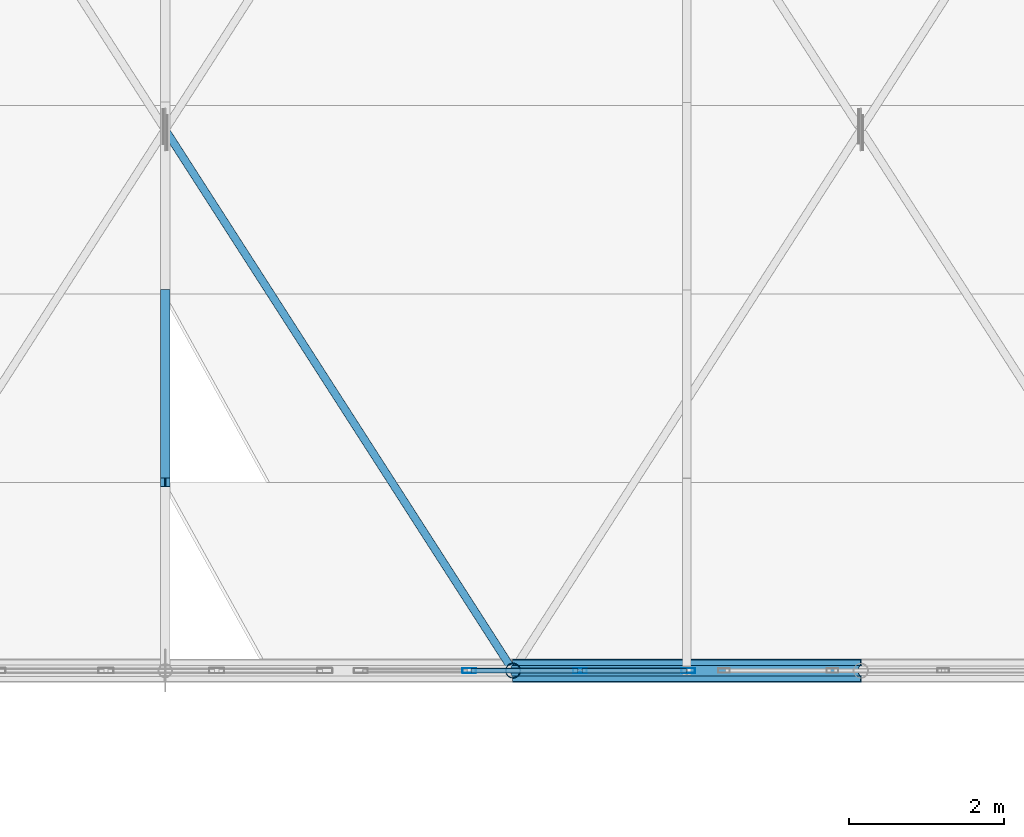
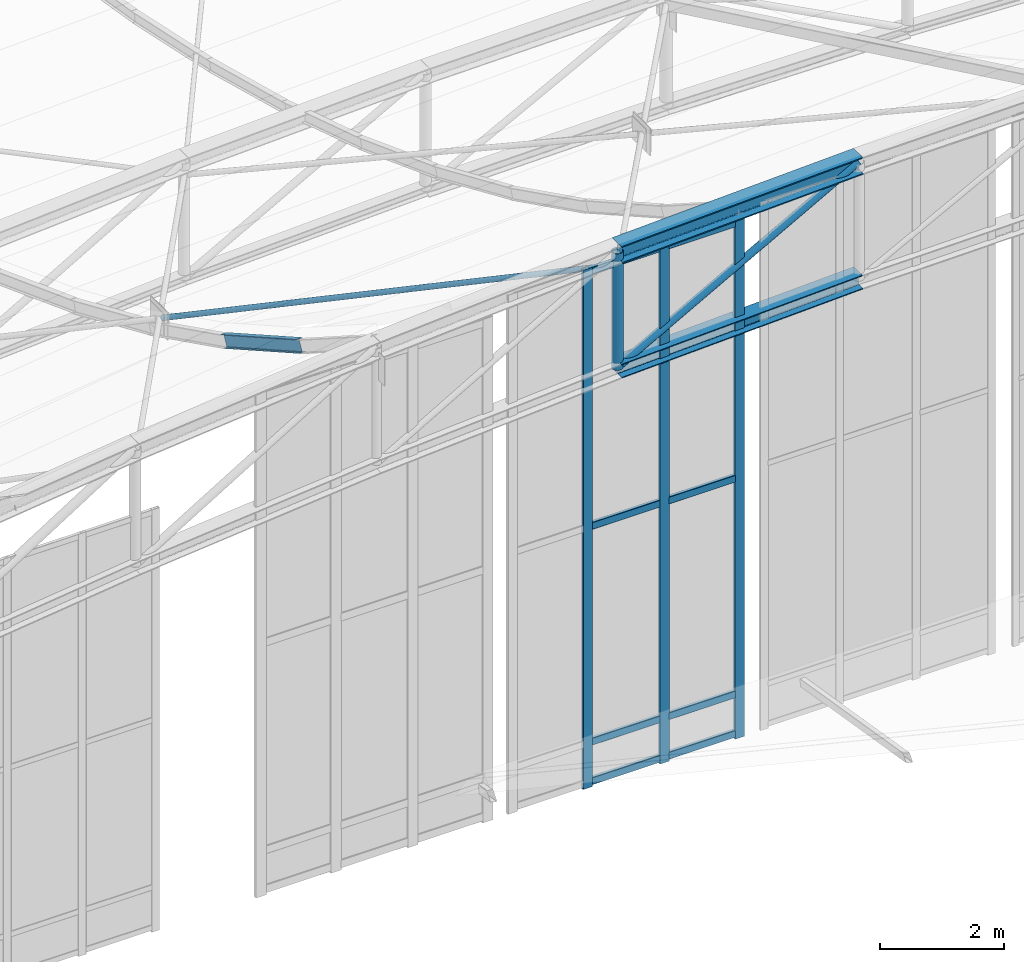
# One storey, part 140 of 262: 17 members, 1 element without a shape of its own.
"""IFC4 building model written with IfcOpenShell, lengths in metres."""

import ifcopenshell
import ifcopenshell.guid

model = None  # the IFC model being written
_history = None  # IfcOwnerHistory: only IFC2X3 demands one
_inside = {}  # id of a spatial element -> (the spatial element, [elements in it])
_under = {}  # id of a project, library or spatial element -> (it, [spatial elements below it])
_declared = {}  # id of a project -> (the project, [libraries it declares])
_typed = {}  # id of a type object -> (the type object, [elements of that type])
_made_of = {}  # id of a material, layer set ... -> (it, [elements and type objects made of it])


def new_model(schema):
    """Start an empty IFC model of exactly this schema.

    Asked for "IFC4X3", IfcOpenShell would pick the latest addendum, in which some entities
    have other attributes; the version numbers below select the first issue.
    IFC2X3 requires an IfcOwnerHistory on every rooted entity: one is made here for all.
    """
    global model, _history
    if schema == "IFC4X3":
        model = ifcopenshell.file(schema_version=(4, 3, 0, 0))
    else:
        model = ifcopenshell.file(schema=schema)
    _inside.clear()
    _under.clear()
    _declared.clear()
    _typed.clear()
    _made_of.clear()
    _history = None
    if model.schema == "IFC2X3":
        org = make("IfcOrganization", Name="unknown")
        user = make(
            "IfcPersonAndOrganization",
            ThePerson=make("IfcPerson", FamilyName="unknown"),
            TheOrganization=org,
        )
        app = make(
            "IfcApplication",
            ApplicationDeveloper=org,
            Version="unknown",
            ApplicationFullName="unknown",
            ApplicationIdentifier="unknown",
        )
        _history = make(
            "IfcOwnerHistory",
            OwningUser=user,
            OwningApplication=app,
            ChangeAction="ADDED",
            CreationDate=0,
        )
    return model


def make(cls, **values):
    """One entity of the class cls with the attributes given. An attribute that is None is left unset."""
    return model.create_entity(
        cls, **{name: value for name, value in values.items() if value is not None}
    )


def rooted(cls, **values):
    """An entity with a GlobalId (a new one), such as an element, a storey or a relation."""
    return make(cls, GlobalId=ifcopenshell.guid.new(), OwnerHistory=_history, **values)


def si_unit(unit_type, name, prefix=None):
    """IfcSIUnit, for example si_unit("LENGTHUNIT", "METRE", prefix="MILLI")."""
    return make("IfcSIUnit", UnitType=unit_type, Prefix=prefix, Name=name)


def derived_unit(unit_type, elements):
    """IfcDerivedUnit: a product of units, each with its exponent."""
    return make(
        "IfcDerivedUnit",
        Elements=[
            make("IfcDerivedUnitElement", Unit=unit, Exponent=power)
            for unit, power in elements
        ],
        UnitType=unit_type,
    )


def assignment(units):
    """IfcUnitAssignment: the units of a project."""
    return None if units is None else make("IfcUnitAssignment", Units=units)


def point(xyz):
    """IfcCartesianPoint."""
    return None if xyz is None else make("IfcCartesianPoint", Coordinates=xyz)


def direction(xyz):
    """IfcDirection."""
    return None if xyz is None else make("IfcDirection", DirectionRatios=xyz)


def frame(location, z_axis=None, x_axis=None):
    """IfcAxis2Placement3D, a coordinate frame: its origin and axes. An axis left out is left unset."""
    return make(
        "IfcAxis2Placement3D",
        Location=point(location),
        Axis=direction(z_axis),
        RefDirection=direction(x_axis),
    )


def frame_2d(location, x_axis=None):
    """IfcAxis2Placement2D, a coordinate frame in the plane: its origin and x axis."""
    return make(
        "IfcAxis2Placement2D", Location=point(location), RefDirection=direction(x_axis)
    )


def origin():
    """The frame at (0, 0, 0) with its axes left unset."""
    return frame((0.0, 0.0, 0.0))


def origin_2d():
    """The frame at (0, 0) in the plane with its x axis left unset."""
    return frame_2d((0.0, 0.0))


def place(relative_to, where):
    """IfcLocalPlacement: puts the frame where relative to a parent placement (None: the world)."""
    return make(
        "IfcLocalPlacement", PlacementRelTo=relative_to, RelativePlacement=where
    )


def context(
    kind, dimensions, precision=None, world=None, true_north=None, identifier=None
):
    """IfcGeometricRepresentationContext, for example the 3D "Model" context."""
    return make(
        "IfcGeometricRepresentationContext",
        ContextIdentifier=identifier,
        ContextType=kind,
        CoordinateSpaceDimension=dimensions,
        Precision=precision,
        WorldCoordinateSystem=world,
        TrueNorth=true_north,
    )


def subcontext(parent, identifier, kind, view, scale=None):
    """IfcGeometricRepresentationSubContext, for example "Body" below "Model"."""
    return make(
        "IfcGeometricRepresentationSubContext",
        ContextIdentifier=identifier,
        ContextType=kind,
        ParentContext=parent,
        TargetScale=scale,
        TargetView=view,
    )


def project(units=None, contexts=None):
    """IfcProject with its units and contexts."""
    return rooted(
        "IfcProject",
        Name="project",
        RepresentationContexts=contexts,
        UnitsInContext=assignment(units),
    )


def spatial(cls, under=None, at=None, **own):
    """A site, building, storey or space (cls), placed at a placement, below another one or the project."""
    s = rooted(cls, ObjectPlacement=at, **own)
    if under is not None:
        _under.setdefault(under.id(), (under, []))[1].append(s)
    return s


def profile(cls, at=None, kind="AREA", **sizes):
    """A parametric profile (cls). Its sizes go by their IFC names, for example OverallWidth=200.0."""
    return make(cls, ProfileType=kind, Position=at, **sizes)


def hollow_rectangle(**sizes):
    """IfcRectangleHollowProfileDef."""
    return profile("IfcRectangleHollowProfileDef", **sizes)


def hollow_circle(**sizes):
    """IfcCircleHollowProfileDef."""
    return profile("IfcCircleHollowProfileDef", **sizes)


def i_section(**sizes):
    """IfcIShapeProfileDef."""
    return profile("IfcIShapeProfileDef", **sizes)


def extrude(swept, where, along, depth):
    """IfcExtrudedAreaSolid: the profile swept, set in the frame where, extruded along a direction by depth."""
    return make(
        "IfcExtrudedAreaSolid",
        SweptArea=swept,
        Position=where,
        ExtrudedDirection=direction(along),
        Depth=depth,
    )


def shape(context_of_items, identifier, shape_type, items):
    """IfcShapeRepresentation: the items that make up one representation, for example the "Body"."""
    return make(
        "IfcShapeRepresentation",
        ContextOfItems=context_of_items,
        RepresentationIdentifier=identifier,
        RepresentationType=shape_type,
        Items=items,
    )


def material(Name=None, Category=None):
    """IfcMaterial."""
    return make("IfcMaterial", Name=Name, Category=Category)


def layer(
    of_material, thickness, ventilated=None, Name=None, Category=None, Priority=None
):
    """IfcMaterialLayer: one layer of a wall or slab, of a material (None: an air gap)."""
    return make(
        "IfcMaterialLayer",
        Material=of_material,
        LayerThickness=thickness,
        IsVentilated=ventilated,
        Name=Name,
        Category=Category,
        Priority=Priority,
    )


def layer_set(layers, Name=None):
    """IfcMaterialLayerSet."""
    return make("IfcMaterialLayerSet", MaterialLayers=layers, LayerSetName=Name)


def material_profile(
    of_material, cross_section, Name=None, Category=None, Priority=None
):
    """IfcMaterialProfile: a cross section and its material."""
    return make(
        "IfcMaterialProfile",
        Name=Name,
        Material=of_material,
        Profile=cross_section,
        Priority=Priority,
        Category=Category,
    )


def profile_set(profiles, Name=None, composite=None):
    """IfcMaterialProfileSet."""
    return make(
        "IfcMaterialProfileSet",
        Name=Name,
        MaterialProfiles=profiles,
        CompositeProfile=composite,
    )


def made_of(thing, what):
    """Note that an element or type object is made of a material, layer set ...; save() writes the relation."""
    if what is not None:
        _made_of.setdefault(what.id(), (what, []))[1].append(thing)
    return thing


def type_object(cls, material=None, **own):
    """A type object (cls), such as IfcWallType, which elements share."""
    return made_of(rooted(cls, **own), material)


def element(
    cls,
    number,
    at=None,
    inside=None,
    cuts=None,
    type_object=None,
    material=None,
    context=None,
    identifier="Body",
    shape_type=None,
    held_by="IfcProductDefinitionShape",
    body=None,
    shapes=None,
    **own,
):
    """One element of the class cls, such as IfcWall. Its Tag is "e" and its number.

    at: its placement. inside: the storey or other place that contains it. cuts: it is an
    opening in that element (IfcRelVoidsElement). A single representation is given by context,
    identifier, shape_type and body (its items); several are given by shapes. held_by: the class
    of the entity that holds the representations. save() writes the other relations.
    """
    e = rooted(cls, Tag="e%d" % number, ObjectPlacement=at, **own)
    if body is not None:
        shapes = [shape(context, identifier, shape_type, body)]
    if shapes is not None:
        e.Representation = make(held_by, Representations=shapes)
    if inside is not None:
        _inside.setdefault(inside.id(), (inside, []))[1].append(e)
    if cuts is not None:
        rooted(
            "IfcRelVoidsElement", RelatingBuildingElement=cuts, RelatedOpeningElement=e
        )
    if type_object is not None:
        _typed.setdefault(type_object.id(), (type_object, []))[1].append(e)
    return made_of(e, material)


def aggregate(whole, parts):
    """IfcRelAggregates: a whole, such as a stair, and the parts it consists of."""
    return rooted("IfcRelAggregates", RelatingObject=whole, RelatedObjects=parts)


def save(model, path):
    """Write the relations noted so far, then the file.

    IfcRelAggregates (storeys below a building ...), IfcRelContainedInSpatialStructure (elements
    in a storey), IfcRelDefinesByType, IfcRelAssociatesMaterial and IfcRelDeclares: one each for
    every whole, place, type object, material and project.
    """
    for whole, parts in _under.values():
        aggregate(whole, parts)
    for where, things in _inside.values():
        rooted(
            "IfcRelContainedInSpatialStructure",
            RelatedElements=things,
            RelatingStructure=where,
        )
    for kind, things in _typed.values():
        rooted("IfcRelDefinesByType", RelatedObjects=things, RelatingType=kind)
    for what, things in _made_of.values():
        rooted("IfcRelAssociatesMaterial", RelatedObjects=things, RelatingMaterial=what)
    for by, libraries in _declared.values():
        rooted("IfcRelDeclares", RelatingContext=by, RelatedDefinitions=libraries)
    model.write(path)


model = new_model("IFC4")

# Units and contexts
model_context = context("Model", 3, precision=1e-05, world=origin(), true_north=direction((0.0, 1.0)))
body_context = subcontext(model_context, "Body", "Model", "MODEL_VIEW")
ifc_project = project(units=[si_unit("LENGTHUNIT", "METRE"), si_unit("AREAUNIT", "SQUARE_METRE"), si_unit("VOLUMEUNIT", "CUBIC_METRE"), si_unit("PLANEANGLEUNIT", "RADIAN"), si_unit("MASSUNIT", "GRAM", prefix="KILO"), derived_unit("THERMALTRANSMITTANCEUNIT", [(si_unit("POWERUNIT", "WATT"), 1), (si_unit("LENGTHUNIT", "METRE"), -2), (si_unit("THERMODYNAMICTEMPERATUREUNIT", "KELVIN"), -1)])], contexts=[model_context])

# Site, building, storey
site_placement = place(None, origin())
site = spatial("IfcSite", under=ifc_project, at=site_placement, CompositionType="ELEMENT")
building_placement = place(site_placement, origin())
building = spatial("IfcBuilding", under=site, at=building_placement, Name="Almenara Railside Exhibition Hall", CompositionType="ELEMENT")
storey_placement = place(building_placement, frame((0.0, 0.0, 21.699951171875)))
storey = spatial("IfcBuildingStorey", under=building, at=storey_placement, Name="RF", CompositionType="ELEMENT", Elevation=21.699951171875)

# Members
ifc_material_1 = material(Name="Structural steel S355JR", Category="steel")
ifc_material_profile_1 = material_profile(ifc_material_1, i_section(OverallWidth=0.280029296875, OverallDepth=0.280029296875, WebThickness=0.010498046875, FlangeThickness=0.01806640625, FilletRadius=0.02392578125, at=origin_2d()), Name="HEB 280")
ifc_profile_set_1 = profile_set([ifc_material_profile_1], Name="Structural steel S355JR")
member_type_1 = type_object("IfcMemberType", Name="Arched Gable Bottom Chord HEB 280 S355JR", PredefinedType="CHORD", material=ifc_profile_set_1)
member_1_placement = place(storey_placement, frame((156.0, 34.0, 1.355712890625), z_axis=(0.999173184279, 0.0, 0.040656460949), x_axis=(0.0, 1.0, 0.0)))
element("IfcMember", 1, at=member_1_placement, inside=storey, type_object=member_type_1, Name="MEM-BC-V2-00-04", PredefinedType="CHORD", context=body_context, shape_type="SweptSolid", body=[
    extrude(i_section(OverallWidth=0.280029296875, OverallDepth=0.280029296875, WebThickness=0.010498046875, FlangeThickness=0.01806640625, FilletRadius=0.02392578125, at=origin_2d()), origin(), (0.0, 0.0, 1.0), 4.503662109375),
])
ifc_material_profile_2 = material_profile(ifc_material_1, i_section(OverallWidth=0.300048828125, OverallDepth=0.340087890625, WebThickness=0.011962890625, FlangeThickness=0.021484375, FilletRadius=0.027099609375, at=origin_2d()), Name="HEB 340")
ifc_profile_set_2 = profile_set([ifc_material_profile_2], Name="Structural steel S355JR")
member_type_2 = type_object("IfcMemberType", Name="Arched Gable Top Chord HEB 340 S355JR", PredefinedType="CHORD", material=ifc_profile_set_2)
member_2_placement = place(storey_placement, frame((156.0, 34.0, 3.655517578125), z_axis=(0.99917098071, 0.0, 0.04071057978), x_axis=(0.0, 1.0, 0.0)))
element("IfcMember", 2, at=member_2_placement, inside=storey, type_object=member_type_2, Name="MEM-TC-V2-00-04", PredefinedType="CHORD", context=body_context, shape_type="SweptSolid", body=[
    extrude(i_section(OverallWidth=0.300048828125, OverallDepth=0.340087890625, WebThickness=0.011962890625, FlangeThickness=0.021484375, FilletRadius=0.027099609375, at=origin_2d()), origin(), (0.0, 0.0, 1.0), 4.503662109375),
])

# Curtain wall, members
ifc_material_2 = material(Name="Bronze-anodised aluminium and low-E double glazing", Category="aluminium")
ifc_layer = layer(ifc_material_2, 0.179931640625, Name="Bronze-anodised aluminium and low-E double glazing")
ifc_layer_set = layer_set([ifc_layer], Name="Bronze-anodised aluminium and low-E double glazing")
curtain_wall_type = type_object("IfcCurtainWallType", Name="Scroll Gable Tall Curtain Wall 3800x5400", PredefinedType="NOTDEFINED", material=ifc_layer_set)
curtain_wall_placement = place(storey_placement, origin())
curtain_wall = element("IfcCurtainWall", 3, at=curtain_wall_placement, inside=storey, type_object=curtain_wall_type, Name="Curtain wall CW-G1-217", PredefinedType="NOTDEFINED")
ifc_material_3 = material(Name="Bronze-anodised aluminium", Category="aluminium")
ifc_material_profile_3 = material_profile(ifc_material_3, hollow_rectangle(XDim=0.06494140625, YDim=0.179931640625, WallThickness=0.00390625, InnerFilletRadius=0.00390625, OuterFilletRadius=0.008056640625, at=origin_2d()), Name="ALU-MUL 65x180x4")
ifc_profile_set_3 = profile_set([ifc_material_profile_3], Name="Bronze-anodised aluminium")
member_type_3 = type_object("IfcMemberType", Name="Curtain Wall Mullion 65x180x4", PredefinedType="MULLION", material=ifc_profile_set_3)
member_3_placement = place(storey_placement, frame((155.433349609375, 34.0, -6.73486328125), z_axis=(0.0, 0.0, 1.0), x_axis=(0.0, 1.0, 0.0)))
member_3 = element("IfcMember", 4, at=member_3_placement, type_object=member_type_3, Name="CW-G1-217 mullion 2", PredefinedType="MULLION", context=body_context, shape_type="SweptSolid", body=[
    extrude(hollow_rectangle(XDim=0.06494140625, YDim=0.179931640625, WallThickness=0.00390625, InnerFilletRadius=0.00390625, OuterFilletRadius=0.008056640625, at=origin_2d()), origin(), (0.0, 0.0, 1.0), 10.244873046875),
])
member_4_placement = place(storey_placement, frame((156.86669921875, 34.0, -6.73486328125), z_axis=(0.0, 0.0, 1.0), x_axis=(0.0, 1.0, 0.0)))
member_4 = element("IfcMember", 5, at=member_4_placement, type_object=member_type_3, Name="CW-G1-217 mullion 3", PredefinedType="MULLION", context=body_context, shape_type="SweptSolid", body=[
    extrude(hollow_rectangle(XDim=0.06494140625, YDim=0.179931640625, WallThickness=0.00390625, InnerFilletRadius=0.00390625, OuterFilletRadius=0.008056640625, at=origin_2d()), origin(), (0.0, 0.0, 1.0), 10.244873046875),
])
member_5_placement = place(storey_placement, frame((158.267578125, 34.0, -6.73486328125), z_axis=(0.0, 0.0, 1.0), x_axis=(0.0, 1.0, 0.0)))
member_5 = element("IfcMember", 6, at=member_5_placement, type_object=member_type_3, Name="CW-G1-217 mullion 4", PredefinedType="MULLION", context=body_context, shape_type="SweptSolid", body=[
    extrude(hollow_rectangle(XDim=0.06494140625, YDim=0.179931640625, WallThickness=0.00390625, InnerFilletRadius=0.00390625, OuterFilletRadius=0.008056640625, at=origin_2d()), origin(), (0.0, 0.0, 1.0), 10.244873046875),
])
ifc_material_profile_4 = material_profile(ifc_material_3, hollow_rectangle(XDim=0.06494140625, YDim=0.139892578125, WallThickness=0.00341796875, InnerFilletRadius=0.00341796875, OuterFilletRadius=0.007080078125, at=origin_2d()), Name="ALU-TRN 65x140x3.5")
ifc_profile_set_4 = profile_set([ifc_material_profile_4], Name="Bronze-anodised aluminium")
member_type_4 = type_object("IfcMemberType", Name="Curtain Wall Transom 65x140x3.5", PredefinedType="USERDEFINED", material=ifc_profile_set_4)
member_6_placement = place(storey_placement, frame((155.457763671875, 34.0, -6.6298828125), z_axis=(1.0, 0.0, 0.0), x_axis=(0.0, 1.0, 0.0)))
member_6 = element("IfcMember", 7, at=member_6_placement, type_object=member_type_4, Name="CW-G1-217 transom 2.1", ObjectType="TRANSOM", PredefinedType="USERDEFINED", context=body_context, shape_type="SweptSolid", body=[
    extrude(hollow_rectangle(XDim=0.06494140625, YDim=0.139892578125, WallThickness=0.00341796875, InnerFilletRadius=0.00341796875, OuterFilletRadius=0.007080078125, at=origin_2d()), origin(), (0.0, 0.0, 1.0), 1.384521484375),
])
member_7_placement = place(storey_placement, frame((155.457763671875, 34.0, -5.849853515625), z_axis=(1.0, 0.0, 0.0), x_axis=(0.0, 1.0, 0.0)))
member_7 = element("IfcMember", 8, at=member_7_placement, type_object=member_type_4, Name="CW-G1-217 transom 2.2", ObjectType="TRANSOM", PredefinedType="USERDEFINED", context=body_context, shape_type="SweptSolid", body=[
    extrude(hollow_rectangle(XDim=0.06494140625, YDim=0.139892578125, WallThickness=0.00341796875, InnerFilletRadius=0.00341796875, OuterFilletRadius=0.007080078125, at=origin_2d()), origin(), (0.0, 0.0, 1.0), 1.384521484375),
])
member_8_placement = place(storey_placement, frame((155.457763671875, 34.0, -1.594970703125), z_axis=(1.0, 0.0, 0.0), x_axis=(0.0, 1.0, 0.0)))
member_8 = element("IfcMember", 9, at=member_8_placement, type_object=member_type_4, Name="CW-G1-217 transom 2.3", ObjectType="TRANSOM", PredefinedType="USERDEFINED", context=body_context, shape_type="SweptSolid", body=[
    extrude(hollow_rectangle(XDim=0.06494140625, YDim=0.139892578125, WallThickness=0.00341796875, InnerFilletRadius=0.00341796875, OuterFilletRadius=0.007080078125, at=origin_2d()), origin(), (0.0, 0.0, 1.0), 1.384521484375),
])
member_9_placement = place(storey_placement, frame((155.457763671875, 34.0, 3.43994140625), z_axis=(1.0, 0.0, 0.0), x_axis=(0.0, 1.0, 0.0)))
member_9 = element("IfcMember", 10, at=member_9_placement, type_object=member_type_4, Name="CW-G1-217 transom 2.4", ObjectType="TRANSOM", PredefinedType="USERDEFINED", context=body_context, shape_type="SweptSolid", body=[
    extrude(hollow_rectangle(XDim=0.06494140625, YDim=0.139892578125, WallThickness=0.00341796875, InnerFilletRadius=0.00341796875, OuterFilletRadius=0.007080078125, at=origin_2d()), origin(), (0.0, 0.0, 1.0), 1.384521484375),
])
member_10_placement = place(storey_placement, frame((156.89111328125, 34.0, -6.6298828125), z_axis=(1.0, 0.0, 0.0), x_axis=(0.0, 1.0, 0.0)))
member_10 = element("IfcMember", 11, at=member_10_placement, type_object=member_type_4, Name="CW-G1-217 transom 3.1", ObjectType="TRANSOM", PredefinedType="USERDEFINED", context=body_context, shape_type="SweptSolid", body=[
    extrude(hollow_rectangle(XDim=0.06494140625, YDim=0.139892578125, WallThickness=0.00341796875, InnerFilletRadius=0.00341796875, OuterFilletRadius=0.007080078125, at=origin_2d()), origin(), (0.0, 0.0, 1.0), 1.351806640625),
])
member_11_placement = place(storey_placement, frame((156.89111328125, 34.0, -5.849853515625), z_axis=(1.0, 0.0, 0.0), x_axis=(0.0, 1.0, 0.0)))
member_11 = element("IfcMember", 12, at=member_11_placement, type_object=member_type_4, Name="CW-G1-217 transom 3.2", ObjectType="TRANSOM", PredefinedType="USERDEFINED", context=body_context, shape_type="SweptSolid", body=[
    extrude(hollow_rectangle(XDim=0.06494140625, YDim=0.139892578125, WallThickness=0.00341796875, InnerFilletRadius=0.00341796875, OuterFilletRadius=0.007080078125, at=origin_2d()), origin(), (0.0, 0.0, 1.0), 1.351806640625),
])
member_12_placement = place(storey_placement, frame((156.89111328125, 34.0, -1.594970703125), z_axis=(1.0, 0.0, 0.0), x_axis=(0.0, 1.0, 0.0)))
member_12 = element("IfcMember", 13, at=member_12_placement, type_object=member_type_4, Name="CW-G1-217 transom 3.3", ObjectType="TRANSOM", PredefinedType="USERDEFINED", context=body_context, shape_type="SweptSolid", body=[
    extrude(hollow_rectangle(XDim=0.06494140625, YDim=0.139892578125, WallThickness=0.00341796875, InnerFilletRadius=0.00341796875, OuterFilletRadius=0.007080078125, at=origin_2d()), origin(), (0.0, 0.0, 1.0), 1.351806640625),
])
member_13_placement = place(storey_placement, frame((156.89111328125, 34.0, 3.43994140625), z_axis=(1.0, 0.0, 0.0), x_axis=(0.0, 1.0, 0.0)))
member_13 = element("IfcMember", 14, at=member_13_placement, type_object=member_type_4, Name="CW-G1-217 transom 3.4", ObjectType="TRANSOM", PredefinedType="USERDEFINED", context=body_context, shape_type="SweptSolid", body=[
    extrude(hollow_rectangle(XDim=0.06494140625, YDim=0.139892578125, WallThickness=0.00341796875, InnerFilletRadius=0.00341796875, OuterFilletRadius=0.007080078125, at=origin_2d()), origin(), (0.0, 0.0, 1.0), 1.351806640625),
])
aggregate(curtain_wall, [member_3, member_4, member_5, member_6, member_7, member_8, member_9, member_10, member_11, member_12, member_13])

# Members
ifc_material_profile_5 = material_profile(ifc_material_1, i_section(OverallWidth=0.1201171875, OverallDepth=0.239990234375, WebThickness=0.006103515625, FlangeThickness=0.009765625, FilletRadius=0.014892578125, at=origin_2d()), Name="IPE 240")
ifc_profile_set_5 = profile_set([ifc_material_profile_5], Name="Structural steel S355JR")
member_type_5 = type_object("IfcMemberType", Name="Scroll Roof Purlin IPE 240 S355JR", PredefinedType="PURLIN", material=ifc_profile_set_5)
member_14_placement = place(storey_placement, frame((151.5, 36.436767578125, 1.878662109375), z_axis=(0.0, 0.870445855666, -0.492264169277), x_axis=(-1.0, 0.0, 0.0)))
element("IfcMember", 15, at=member_14_placement, inside=storey, type_object=member_type_5, Name="MEM-PR-V2-PR-IPE240-02-01", PredefinedType="PURLIN", context=body_context, shape_type="SweptSolid", body=[
    extrude(i_section(OverallWidth=0.1201171875, OverallDepth=0.239990234375, WebThickness=0.006103515625, FlangeThickness=0.009765625, FilletRadius=0.014892578125, at=origin_2d()), origin(), (0.0, 0.0, 1.0), 2.799072265625),
])
ifc_material_profile_6 = material_profile(ifc_material_1, hollow_circle(Radius=0.05078125, WallThickness=0.00390625, at=origin_2d()), Name="CHS 101.6x4")
ifc_profile_set_6 = profile_set([ifc_material_profile_6], Name="Structural steel S355JR")
member_type_6 = type_object("IfcMemberType", Name="Scroll Wind Plan Brace CHS 101.6x4 S355JR", PredefinedType="BRACE", material=ifc_profile_set_6)
member_15_placement = place(storey_placement, frame((156.0, 34.0, 3.375732421875), z_axis=(-0.493557446982, 0.767773988264, -0.408563519509), x_axis=(-0.841184229202, -0.540748640814, 0.0)))
element("IfcMember", 16, at=member_15_placement, inside=storey, type_object=member_type_6, Name="MEM-WB-V2-WB-CHS102-00-02-S1", PredefinedType="BRACE", context=body_context, shape_type="SweptSolid", body=[
    extrude(hollow_circle(Radius=0.05078125, WallThickness=0.00390625, at=origin_2d()), origin(), (0.0, 0.0, 1.0), 9.0625),
])
ifc_material_profile_7 = material_profile(ifc_material_1, hollow_circle(Radius=0.06982421875, WallThickness=0.0048828125, at=origin_2d()), Name="CHS 139.7x5")
ifc_profile_set_7 = profile_set([ifc_material_profile_7], Name="Structural steel S355JR")
member_type_7 = type_object("IfcMemberType", Name="Truss Inner Diagonal CHS 139.7x5 S355JR", PredefinedType="BRACE", material=ifc_profile_set_7)
member_16_placement = place(storey_placement, frame((156.0, 34.0, 1.355712890625), z_axis=(0.875545119572, 0.0, 0.483136361283), x_axis=(0.0, 1.0, 0.0)))
element("IfcMember", 17, at=member_16_placement, inside=storey, type_object=member_type_7, Name="MEM-TD-V2-00-04", PredefinedType="BRACE", context=body_context, shape_type="SweptSolid", body=[
    extrude(hollow_circle(Radius=0.06982421875, WallThickness=0.0048828125, at=origin_2d()), origin(), (0.0, 0.0, 1.0), 5.1396484375),
])
ifc_material_profile_8 = material_profile(ifc_material_1, hollow_circle(Radius=0.096923828125, WallThickness=0.00634765625, at=origin_2d()), Name="CHS 193.7x6.3")
ifc_profile_set_8 = profile_set([ifc_material_profile_8], Name="Structural steel S355JR")
member_type_8 = type_object("IfcMemberType", Name="Truss Standard Vertical Strut CHS 193.7x6.3 S355JR", PredefinedType="BRACE", material=ifc_profile_set_8)
member_17_placement = place(storey_placement, frame((156.0, 34.0, 1.355712890625), z_axis=(0.0, 0.0, 1.0), x_axis=(1.0, 0.0, 0.0)))
element("IfcMember", 18, at=member_17_placement, inside=storey, type_object=member_type_8, Name="MEM-TV-V2-00-04", PredefinedType="BRACE", context=body_context, shape_type="SweptSolid", body=[
    extrude(hollow_circle(Radius=0.096923828125, WallThickness=0.00634765625, at=origin_2d()), origin(), (0.0, 0.0, 1.0), 2.2998046875),
])

save(model, "model.ifc")
